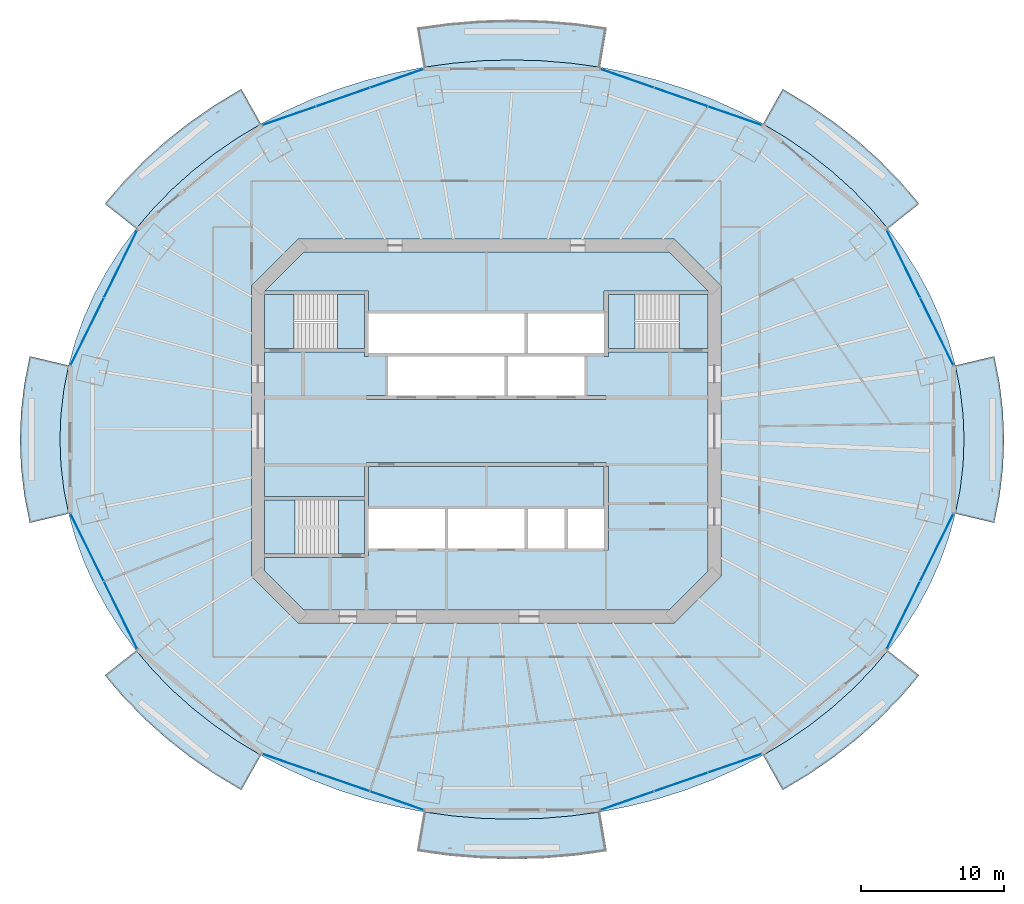
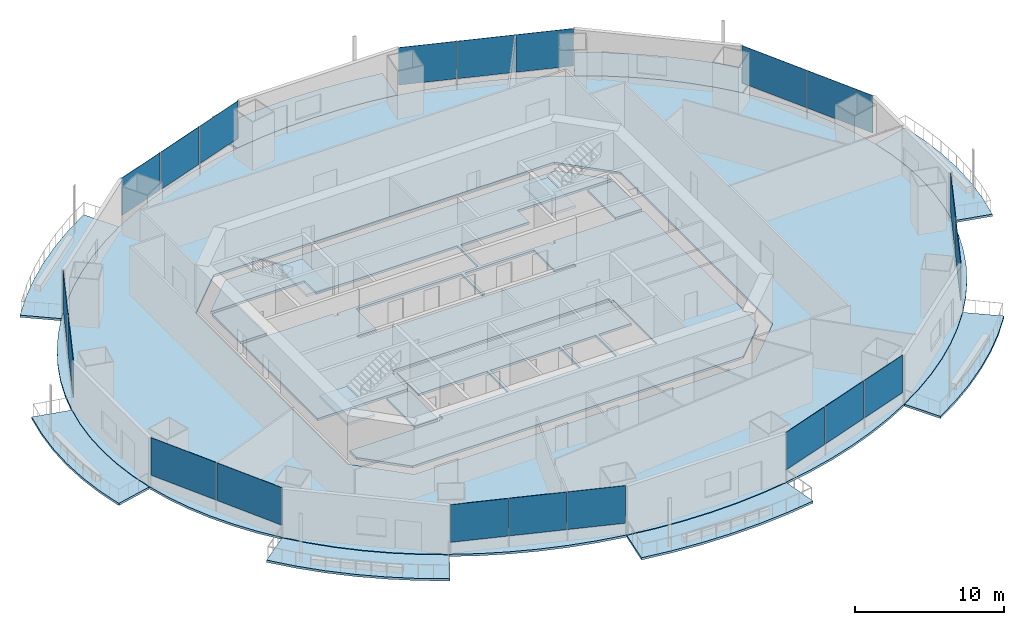
# One storey, part 11 of 21: 20 plates, 16 slabs, 11 elements without a shape of their own.
"""IFC4 building model written with IfcOpenShell, lengths in metres."""

from ifc_helpers import new_model, si_unit, direction, frame, origin, origin_2d, place, context, subcontext, project, spatial, polyline, rectangle, outline, extrude, material, layer, layer_set, type_object, element, aggregate, save


model = new_model("IFC4")

# Units and contexts
model_context = context("Model", 3, precision=1e-05, world=origin(), true_north=direction((0.0, 1.0)))
body_context = subcontext(model_context, "Body", "Model", "MODEL_VIEW")
ifc_project = project(units=[si_unit("LENGTHUNIT", "METRE"), si_unit("AREAUNIT", "SQUARE_METRE"), si_unit("VOLUMEUNIT", "CUBIC_METRE"), si_unit("PLANEANGLEUNIT", "RADIAN"), si_unit("MASSUNIT", "GRAM", prefix="KILO")], contexts=[model_context])

# Site, building, storey
site_placement = place(None, origin())
site = spatial("IfcSite", under=ifc_project, at=site_placement, CompositionType="ELEMENT")
building_placement = place(site_placement, origin())
building = spatial("IfcBuilding", under=site, at=building_placement, Name="Marenthal Gate Tower", CompositionType="ELEMENT")
storey_placement = place(building_placement, frame((0.0, 0.0, 202.550048828125)))
storey = spatial("IfcBuildingStorey", under=building, at=storey_placement, Name="L44", CompositionType="ELEMENT", Elevation=202.550048828125)

# Slabs
ifc_material_1 = material(Name="Concrete 40 MPa", Category="concrete")
ifc_layer_1 = layer(ifc_material_1, 0.179931640625)
ifc_layer_set_1 = layer_set([ifc_layer_1], Name="Balcony deck 180")
slab_type_1 = type_object("IfcSlabType", Name="Balcony deck 180", PredefinedType="USERDEFINED", material=ifc_layer_set_1)
slab_1_placement = place(storey_placement, frame((0.0, 0.0, -0.219970703125)))
element("IfcSlab", 1, at=slab_1_placement, inside=storey, type_object=slab_type_1, Name="Balcony deck L44 bay 2", ObjectType="BALCONY", PredefinedType="USERDEFINED", context=body_context, shape_type="SweptSolid", body=[
    extrude(outline(polyline([(28.15087890625, 14.1865234375), (26.943115234375, 15.602294921875), (25.627197265625, 16.948486328125), (24.209716796875, 18.219482421875), (22.696044921875, 19.41015625), (21.093017578125, 20.51513671875), (19.406982421875, 21.529541015625), (20.77734375, 23.971435546875), (22.609619140625, 22.86865234375), (24.3564453125, 21.664794921875), (26.01025390625, 20.36376953125), (27.56396484375, 18.970703125), (29.010009765625, 17.490966796875), (30.342041015625, 15.929931640625), (28.15087890625, 14.1865234375)])), origin(), (0.0, 0.0, 1.0), 0.179931640625),
])
slab_2_placement = place(storey_placement, frame((0.0, 0.0, -0.219970703125)))
element("IfcSlab", 2, at=slab_2_placement, inside=storey, type_object=slab_type_1, Name="Balcony deck L44 bay 4", ObjectType="BALCONY", PredefinedType="USERDEFINED", context=body_context, shape_type="SweptSolid", body=[
    extrude(outline(polyline([(7.98291015625, 25.503662109375), (5.9365234375, 25.787353515625), (3.872802734375, 25.9580078125), (1.800048828125, 26.014892578125), (-0.272705078125, 25.9580078125), (-2.336669921875, 25.787353515625), (-4.3828125, 25.503662109375), (-4.84423828125, 28.265380859375), (-2.644287109375, 28.5703125), (-0.4267578125, 28.753662109375), (1.800048828125, 28.81494140625), (4.026611328125, 28.753662109375), (6.244384765625, 28.5703125), (8.444091796875, 28.265380859375), (7.98291015625, 25.503662109375)])), origin(), (0.0, 0.0, 1.0), 0.179931640625),
])
slab_3_placement = place(storey_placement, frame((0.0, 0.0, -0.219970703125)))
element("IfcSlab", 3, at=slab_3_placement, inside=storey, type_object=slab_type_1, Name="Balcony deck L44 bay 6", ObjectType="BALCONY", PredefinedType="USERDEFINED", context=body_context, shape_type="SweptSolid", body=[
    extrude(outline(polyline([(-15.80712890625, 21.529541015625), (-17.492919921875, 20.51513671875), (-19.095947265625, 19.41015625), (-20.609619140625, 18.219482421875), (-22.02734375, 16.948486328125), (-23.343017578125, 15.602294921875), (-24.55078125, 14.1865234375), (-26.741943359375, 15.929931640625), (-25.41015625, 17.490966796875), (-23.9638671875, 18.970703125), (-22.410400390625, 20.36376953125), (-20.75634765625, 21.664794921875), (-19.009521484375, 22.86865234375), (-17.17724609375, 23.971435546875), (-15.80712890625, 21.529541015625)])), origin(), (0.0, 0.0, 1.0), 0.179931640625),
])
slab_4_placement = place(storey_placement, frame((0.0, 0.0, -0.219970703125)))
element("IfcSlab", 4, at=slab_4_placement, inside=storey, type_object=slab_type_1, Name="Balcony deck L44 bay 8", ObjectType="BALCONY", PredefinedType="USERDEFINED", context=body_context, shape_type="SweptSolid", body=[
    extrude(outline(polyline([(-29.282958984375, 4.59228515625), (-29.620849609375, 2.8740234375), (-29.82421875, 1.140625), (-29.89208984375, -0.60009765625), (-29.82421875, -2.3408203125), (-29.620849609375, -4.073974609375), (-29.282958984375, -5.792236328125), (-32.007568359375, -6.437744140625), (-32.38720703125, -4.507568359375), (-32.61572265625, -2.55859375), (-32.69189453125, -0.60009765625), (-32.61572265625, 1.358642578125), (-32.38720703125, 3.3076171875), (-32.007568359375, 5.237548828125), (-29.282958984375, 4.59228515625)])), origin(), (0.0, 0.0, 1.0), 0.179931640625),
])
slab_5_placement = place(storey_placement, frame((0.0, 0.0, -0.219970703125)))
element("IfcSlab", 5, at=slab_5_placement, inside=storey, type_object=slab_type_1, Name="Balcony deck L44 bay 10", ObjectType="BALCONY", PredefinedType="USERDEFINED", context=body_context, shape_type="SweptSolid", body=[
    extrude(outline(polyline([(-24.55078125, -15.386474609375), (-23.343017578125, -16.80224609375), (-22.02734375, -18.1484375), (-20.609619140625, -19.419677734375), (-19.095947265625, -20.610107421875), (-17.492919921875, -21.715087890625), (-15.80712890625, -22.7294921875), (-17.17724609375, -25.17138671875), (-19.009521484375, -24.06884765625), (-20.75634765625, -22.86474609375), (-22.410400390625, -21.563720703125), (-23.9638671875, -20.1708984375), (-25.41015625, -18.69091796875), (-26.741943359375, -17.1298828125), (-24.55078125, -15.386474609375)])), origin(), (0.0, 0.0, 1.0), 0.179931640625),
])
slab_6_placement = place(storey_placement, frame((0.0, 0.0, -0.219970703125)))
element("IfcSlab", 6, at=slab_6_placement, inside=storey, type_object=slab_type_1, Name="Balcony deck L44 bay 12", ObjectType="BALCONY", PredefinedType="USERDEFINED", context=body_context, shape_type="SweptSolid", body=[
    extrude(outline(polyline([(-4.3828125, -26.70361328125), (-2.336669921875, -26.9873046875), (-0.272705078125, -27.157958984375), (1.800048828125, -27.215087890625), (3.872802734375, -27.157958984375), (5.9365234375, -26.9873046875), (7.98291015625, -26.70361328125), (8.444091796875, -29.46533203125), (6.244384765625, -29.770263671875), (4.026611328125, -29.953857421875), (1.800048828125, -30.014892578125), (-0.4267578125, -29.953857421875), (-2.644287109375, -29.770263671875), (-4.84423828125, -29.46533203125), (-4.3828125, -26.70361328125)])), origin(), (0.0, 0.0, 1.0), 0.179931640625),
])
slab_7_placement = place(storey_placement, frame((0.0, 0.0, -0.219970703125)))
element("IfcSlab", 7, at=slab_7_placement, inside=storey, type_object=slab_type_1, Name="Balcony deck L44 bay 14", ObjectType="BALCONY", PredefinedType="USERDEFINED", context=body_context, shape_type="SweptSolid", body=[
    extrude(outline(polyline([(19.406982421875, -22.7294921875), (21.093017578125, -21.715087890625), (22.696044921875, -20.610107421875), (24.209716796875, -19.419677734375), (25.627197265625, -18.1484375), (26.943115234375, -16.80224609375), (28.15087890625, -15.386474609375), (30.342041015625, -17.1298828125), (29.010009765625, -18.69091796875), (27.56396484375, -20.1708984375), (26.01025390625, -21.563720703125), (24.3564453125, -22.86474609375), (22.609619140625, -24.06884765625), (20.77734375, -25.17138671875), (19.406982421875, -22.7294921875)])), origin(), (0.0, 0.0, 1.0), 0.179931640625),
])
slab_8_placement = place(storey_placement, frame((0.0, 0.0, -0.219970703125)))
element("IfcSlab", 8, at=slab_8_placement, inside=storey, type_object=slab_type_1, Name="Balcony deck L44 bay 16", ObjectType="BALCONY", PredefinedType="USERDEFINED", context=body_context, shape_type="SweptSolid", body=[
    extrude(outline(polyline([(32.883056640625, -5.792236328125), (33.220947265625, -4.073974609375), (33.424072265625, -2.3408203125), (33.491943359375, -0.60009765625), (33.424072265625, 1.140625), (33.220947265625, 2.8740234375), (32.883056640625, 4.59228515625), (35.607666015625, 5.237548828125), (35.987060546875, 3.3076171875), (36.215576171875, 1.358642578125), (36.2919921875, -0.60009765625), (36.215576171875, -2.55859375), (35.987060546875, -4.507568359375), (35.607666015625, -6.437744140625), (32.883056640625, -5.792236328125)])), origin(), (0.0, 0.0, 1.0), 0.179931640625),
])
ifc_material_2 = material(Name="Concrete 50 MPa", Category="concrete")
ifc_layer_2 = layer(ifc_material_2, 0.179931640625)
ifc_layer_set_2 = layer_set([ifc_layer_2], Name="Core floor slab 180")
slab_type_2 = type_object("IfcSlabType", Name="Core floor slab 180", PredefinedType="FLOOR", material=ifc_layer_set_2)
slab_9_placement = place(storey_placement, frame((0.0, 0.0, -0.179931640625)))
element("IfcSlab", 9, at=slab_9_placement, inside=storey, type_object=slab_type_2, Name="Core floor L44", PredefinedType="FLOOR", context=body_context, shape_type="SweptSolid", body=[
    extrude(outline(polyline([(12.813720703125, -12.550048828125), (-12.813720703125, -12.550048828125), (-15.550048828125, -9.813720703125), (-15.550048828125, -8.875), (-8.550048828125, -8.875), (-8.550048828125, -8.75), (-8.25, -8.75), (-8.25, -8.239990234375), (-5.60009765625, -8.239990234375), (-2.909912109375, -8.239990234375), (-2.909912109375, -5.4599609375), (-5.60009765625, -5.4599609375), (-8.25, -5.4599609375), (-8.25, -2.5), (8.25, -2.5), (8.25, -5.4599609375), (5.7099609375, -5.4599609375), (5.7099609375, -8.239990234375), (8.25, -8.239990234375), (8.25, -8.35009765625), (8.550048828125, -8.35009765625), (8.550048828125, -2.5), (8.39990234375, -2.5), (8.39990234375, -2.199951171875), (-8.39990234375, -2.199951171875), (-8.39990234375, -2.5), (-8.550048828125, -2.5), (-8.550048828125, -4.574951171875), (-15.550048828125, -4.574951171875), (-15.550048828125, 5.52490234375), (-8.550048828125, 5.52490234375), (-8.550048828125, 5.239990234375), (-8.25, 5.239990234375), (-8.25, 5.4599609375), (-5.60009765625, 5.4599609375), (-2.800048828125, 5.4599609375), (0.0, 5.4599609375), (2.68994140625, 5.4599609375), (2.68994140625, 8.239990234375), (0.0, 8.239990234375), (-2.800048828125, 8.239990234375), (-5.60009765625, 8.239990234375), (-8.25, 8.239990234375), (-8.25, 8.35009765625), (-8.25, 9.824951171875), (-8.550048828125, 9.824951171875), (-15.53857421875, 9.824951171875), (-12.813720703125, 12.550048828125), (12.813720703125, 12.550048828125), (15.53857421875, 9.824951171875), (8.550048828125, 9.824951171875), (8.25, 9.824951171875), (8.25, 8.35009765625), (8.25, 8.239990234375), (5.60009765625, 8.239990234375), (2.909912109375, 8.239990234375), (2.909912109375, 5.4599609375), (5.60009765625, 5.4599609375), (8.25, 5.4599609375), (8.25, 5.239990234375), (8.550048828125, 5.239990234375), (8.550048828125, 5.52490234375), (15.550048828125, 5.52490234375), (15.550048828125, -9.813720703125), (12.813720703125, -12.550048828125)]), holes=[polyline([(2.68994140625, -8.239990234375), (2.68994140625, -5.4599609375), (0.0, -5.4599609375), (-2.68994140625, -5.4599609375), (-2.68994140625, -8.239990234375), (0.0, -8.239990234375), (2.68994140625, -8.239990234375)]), polyline([(-6.889892578125, 5.239990234375), (-6.889892578125, 2.5), (-8.39990234375, 2.5), (-8.39990234375, 2.199951171875), (8.39990234375, 2.199951171875), (8.39990234375, 2.5), (6.889892578125, 2.5), (6.889892578125, 5.239990234375), (4.199951171875, 5.239990234375), (1.510009765625, 5.239990234375), (1.510009765625, 2.5), (1.2900390625, 2.5), (1.2900390625, 5.239990234375), (-1.39990234375, 5.239990234375), (-4.199951171875, 5.239990234375), (-6.889892578125, 5.239990234375)]), polyline([(5.489990234375, -8.239990234375), (5.489990234375, -5.4599609375), (2.909912109375, -5.4599609375), (2.909912109375, -8.239990234375), (5.489990234375, -8.239990234375)])]), origin(), (0.0, 0.0, 1.0), 0.179931640625),
])
slab_10_placement = place(storey_placement, frame((0.0, 0.0, -0.179931640625)))
element("IfcSlab", 10, at=slab_10_placement, inside=storey, type_object=slab_type_2, Name="Core floor L44", PredefinedType="FLOOR", context=body_context, shape_type="SweptSolid", body=[
    extrude(outline(polyline([(15.550048828125, 5.77490234375), (13.5, 5.77490234375), (13.5, 9.574951171875), (15.550048828125, 9.574951171875), (15.550048828125, 5.77490234375)])), origin(), (0.0, 0.0, 1.0), 0.179931640625),
])
slab_11_placement = place(storey_placement, frame((0.0, 0.0, -0.179931640625)))
element("IfcSlab", 11, at=slab_11_placement, inside=storey, type_object=slab_type_2, Name="Core floor L44", PredefinedType="FLOOR", context=body_context, shape_type="SweptSolid", body=[
    extrude(outline(polyline([(-15.550048828125, 9.574951171875), (-13.5, 9.574951171875), (-13.5, 5.77490234375), (-15.550048828125, 5.77490234375), (-15.550048828125, 9.574951171875)])), origin(), (0.0, 0.0, 1.0), 0.179931640625),
])
slab_12_placement = place(storey_placement, frame((0.0, 0.0, -0.179931640625)))
element("IfcSlab", 12, at=slab_12_placement, inside=storey, type_object=slab_type_2, Name="Core floor L44", PredefinedType="FLOOR", context=body_context, shape_type="SweptSolid", body=[
    extrude(outline(polyline([(-8.550048828125, -8.625), (-10.35009765625, -8.625), (-10.35009765625, -4.824951171875), (-8.550048828125, -4.824951171875), (-8.550048828125, -8.625)])), origin(), (0.0, 0.0, 1.0), 0.179931640625),
])
ifc_material_3 = material(Name="Concrete 35 MPa", Category="concrete")
ifc_layer_3 = layer(ifc_material_3, 0.179931640625)
ifc_layer_set_3 = layer_set([ifc_layer_3], Name="Floor slab 180")
slab_type_3 = type_object("IfcSlabType", Name="Floor slab 180", PredefinedType="FLOOR", material=ifc_layer_set_3)
slab_13_placement = place(storey_placement, frame((0.0, 0.0, -0.179931640625)))
element("IfcSlab", 13, at=slab_13_placement, inside=storey, type_object=slab_type_3, Name="SL-L44-01", PredefinedType="FLOOR", context=body_context, shape_type="SweptSolid", body=[
    extrude(outline(polyline([(33.491943359375, -0.60009765625), (33.424072265625, 1.140625), (33.220947265625, 2.8740234375), (32.883056640625, 4.59228515625), (32.412109375, 6.28857421875), (31.81005859375, 7.955078125), (31.07958984375, 9.585205078125), (30.2236328125, 11.17138671875), (29.24609375, 12.70751953125), (28.15087890625, 14.1865234375), (26.943115234375, 15.602294921875), (25.627197265625, 16.948486328125), (24.209716796875, 18.219482421875), (22.696044921875, 19.41015625), (21.093017578125, 20.51513671875), (19.406982421875, 21.529541015625), (17.64599609375, 22.44921875), (15.81689453125, 23.270263671875), (13.927978515625, 23.989013671875), (11.987060546875, 24.6025390625), (10.00244140625, 25.108154296875), (7.98291015625, 25.503662109375), (5.9365234375, 25.787353515625), (3.872802734375, 25.9580078125), (1.800048828125, 26.014892578125), (-0.272705078125, 25.9580078125), (-2.336669921875, 25.787353515625), (-4.3828125, 25.503662109375), (-6.402587890625, 25.108154296875), (-8.38720703125, 24.6025390625), (-10.327880859375, 23.989013671875), (-12.217041015625, 23.270263671875), (-14.0458984375, 22.44921875), (-15.80712890625, 21.529541015625), (-17.492919921875, 20.51513671875), (-19.095947265625, 19.41015625), (-20.609619140625, 18.219482421875), (-22.02734375, 16.948486328125), (-23.343017578125, 15.602294921875), (-24.55078125, 14.1865234375), (-25.64599609375, 12.70751953125), (-26.623779296875, 11.17138671875), (-27.4794921875, 9.585205078125), (-28.210205078125, 7.955078125), (-28.81201171875, 6.28857421875), (-29.282958984375, 4.59228515625), (-29.620849609375, 2.8740234375), (-29.82421875, 1.140625), (-29.89208984375, -0.60009765625), (-29.82421875, -2.3408203125), (-29.620849609375, -4.073974609375), (-29.282958984375, -5.792236328125), (-28.81201171875, -7.488525390625), (-28.210205078125, -9.155029296875), (-27.4794921875, -10.78515625), (-26.623779296875, -12.37158203125), (-25.64599609375, -13.907470703125), (-24.55078125, -15.386474609375), (-23.343017578125, -16.80224609375), (-22.02734375, -18.1484375), (-20.609619140625, -19.419677734375), (-19.095947265625, -20.610107421875), (-17.492919921875, -21.715087890625), (-15.80712890625, -22.7294921875), (-14.0458984375, -23.6494140625), (-12.217041015625, -24.47021484375), (-10.327880859375, -25.189208984375), (-8.38720703125, -25.802490234375), (-6.402587890625, -26.30810546875), (-4.3828125, -26.70361328125), (-2.336669921875, -26.9873046875), (-0.272705078125, -27.157958984375), (1.800048828125, -27.215087890625), (3.872802734375, -27.157958984375), (5.9365234375, -26.9873046875), (7.98291015625, -26.70361328125), (10.00244140625, -26.30810546875), (11.987060546875, -25.802490234375), (13.927978515625, -25.189208984375), (15.81689453125, -24.47021484375), (17.64599609375, -23.6494140625), (19.406982421875, -22.7294921875), (21.093017578125, -21.715087890625), (22.696044921875, -20.610107421875), (24.209716796875, -19.419677734375), (25.627197265625, -18.1484375), (26.943115234375, -16.80224609375), (28.15087890625, -15.386474609375), (29.24609375, -13.907470703125), (30.2236328125, -12.37158203125), (31.07958984375, -10.78515625), (31.81005859375, -9.155029296875), (32.412109375, -7.488525390625), (32.883056640625, -5.792236328125), (33.220947265625, -4.073974609375), (33.424072265625, -2.3408203125), (33.491943359375, -0.60009765625)]), holes=[polyline([(13.186279296875, -13.449951171875), (16.449951171875, -10.186279296875), (16.449951171875, 10.186279296875), (13.186279296875, 13.449951171875), (-13.186279296875, 13.449951171875), (-16.449951171875, 10.186279296875), (-16.449951171875, -10.186279296875), (-13.186279296875, -13.449951171875), (13.186279296875, -13.449951171875)])]), origin(), (0.0, 0.0, 1.0), 0.179931640625),
])

# Curtain wall, plates
ifc_material_4 = material(Name="Aluminium and glass", Category="aluminium")
curtain_wall_type = type_object("IfcCurtainWallType", Name="Curtain wall typical mid", PredefinedType="NOTDEFINED", material=ifc_material_4)
curtain_wall_1_placement = place(storey_placement, origin())
curtain_wall_1 = element("IfcCurtainWall", 14, at=curtain_wall_1_placement, inside=storey, type_object=curtain_wall_type, Name="Curtain wall L44 bay 1", PredefinedType="NOTDEFINED")
ifc_material_5 = material(Name="Glass, laminated insulating unit", Category="glass")
ifc_layer_4 = layer(ifc_material_5, 0.030029296875)
ifc_layer_set_4 = layer_set([ifc_layer_4], Name="Glass panel 30 typical mid")
plate_type = type_object("IfcPlateType", Name="Glass panel 30 typical mid", PredefinedType="CURTAIN_PANEL", material=ifc_layer_set_4)
plate_1_placement = place(storey_placement, frame((31.580322265625, 6.969970703125, 0.89990234375), z_axis=(0.0, 0.0, 1.0), x_axis=(-0.442607164057, 0.896715617309, 0.0)))
plate_1 = element("IfcPlate", 15, at=plate_1_placement, type_object=plate_type, Name="Glass panel L44 bay 1.1", PredefinedType="CURTAIN_PANEL", context=body_context, shape_type="SweptSolid", body=[
    extrude(rectangle(XDim=5.235595703125, YDim=0.030029296875, at=origin_2d()), origin(), (0.0, 0.0, 1.0), 3.070068359375),
])
plate_2_placement = place(storey_placement, frame((29.236328125, 11.71875, 0.89990234375), z_axis=(0.0, 0.0, 1.0), x_axis=(-0.442607164057, 0.896715617309, 0.0)))
plate_2 = element("IfcPlate", 16, at=plate_2_placement, type_object=plate_type, Name="Glass panel L44 bay 1.2", PredefinedType="CURTAIN_PANEL", context=body_context, shape_type="SweptSolid", body=[
    extrude(rectangle(XDim=5.235595703125, YDim=0.030029296875, at=origin_2d()), origin(), (0.0, 0.0, 1.0), 3.070068359375),
])
aggregate(curtain_wall_1, [plate_1, plate_2])

curtain_wall_2_placement = place(storey_placement, origin())
curtain_wall_2 = element("IfcCurtainWall", 17, at=curtain_wall_2_placement, inside=storey, type_object=curtain_wall_type, Name="Curtain wall L44 bay 3", PredefinedType="NOTDEFINED")
plate_3_placement = place(storey_placement, frame((17.4248046875, 22.095703125, 0.89990234375), z_axis=(0.0, 0.0, 1.0), x_axis=(-0.944562277362, 0.328332307555, 0.0)))
plate_3 = element("IfcPlate", 18, at=plate_3_placement, type_object=plate_type, Name="Glass panel L44 bay 3.1", PredefinedType="CURTAIN_PANEL", context=body_context, shape_type="SweptSolid", body=[
    extrude(rectangle(XDim=3.936279296875, YDim=0.030029296875, at=origin_2d()), origin(), (0.0, 0.0, 1.0), 3.070068359375),
])
plate_4_placement = place(storey_placement, frame((13.64990234375, 23.407958984375, 0.89990234375), z_axis=(0.0, 0.0, 1.0), x_axis=(-0.944562277362, 0.328332307555, 0.0)))
plate_4 = element("IfcPlate", 19, at=plate_4_placement, type_object=plate_type, Name="Glass panel L44 bay 3.2", PredefinedType="CURTAIN_PANEL", context=body_context, shape_type="SweptSolid", body=[
    extrude(rectangle(XDim=3.936279296875, YDim=0.030029296875, at=origin_2d()), origin(), (0.0, 0.0, 1.0), 3.070068359375),
])
plate_5_placement = place(storey_placement, frame((9.875244140625, 24.719970703125, 0.89990234375), z_axis=(0.0, 0.0, 1.0), x_axis=(-0.944562277362, 0.328332307555, 0.0)))
plate_5 = element("IfcPlate", 20, at=plate_5_placement, type_object=plate_type, Name="Glass panel L44 bay 3.3", PredefinedType="CURTAIN_PANEL", context=body_context, shape_type="SweptSolid", body=[
    extrude(rectangle(XDim=3.936279296875, YDim=0.030029296875, at=origin_2d()), origin(), (0.0, 0.0, 1.0), 3.070068359375),
])
aggregate(curtain_wall_2, [plate_3, plate_4, plate_5])

curtain_wall_3_placement = place(storey_placement, origin())
curtain_wall_3 = element("IfcCurtainWall", 21, at=curtain_wall_3_placement, inside=storey, type_object=curtain_wall_type, Name="Curtain wall L44 bay 5", PredefinedType="NOTDEFINED")
plate_6_placement = place(storey_placement, frame((-6.275146484375, 24.719970703125, 0.89990234375), z_axis=(0.0, 0.0, 1.0), x_axis=(-0.944562277362, -0.328332307555, 0.0)))
plate_6 = element("IfcPlate", 22, at=plate_6_placement, type_object=plate_type, Name="Glass panel L44 bay 5.1", PredefinedType="CURTAIN_PANEL", context=body_context, shape_type="SweptSolid", body=[
    extrude(rectangle(XDim=3.936279296875, YDim=0.030029296875, at=origin_2d()), origin(), (0.0, 0.0, 1.0), 3.070068359375),
])
plate_7_placement = place(storey_placement, frame((-10.050048828125, 23.407958984375, 0.89990234375), z_axis=(0.0, 0.0, 1.0), x_axis=(-0.944562277362, -0.328332307555, 0.0)))
plate_7 = element("IfcPlate", 23, at=plate_7_placement, type_object=plate_type, Name="Glass panel L44 bay 5.2", PredefinedType="CURTAIN_PANEL", context=body_context, shape_type="SweptSolid", body=[
    extrude(rectangle(XDim=3.936279296875, YDim=0.030029296875, at=origin_2d()), origin(), (0.0, 0.0, 1.0), 3.070068359375),
])
plate_8_placement = place(storey_placement, frame((-13.82470703125, 22.095703125, 0.89990234375), z_axis=(0.0, 0.0, 1.0), x_axis=(-0.944562277362, -0.328332307555, 0.0)))
plate_8 = element("IfcPlate", 24, at=plate_8_placement, type_object=plate_type, Name="Glass panel L44 bay 5.3", PredefinedType="CURTAIN_PANEL", context=body_context, shape_type="SweptSolid", body=[
    extrude(rectangle(XDim=3.936279296875, YDim=0.030029296875, at=origin_2d()), origin(), (0.0, 0.0, 1.0), 3.070068359375),
])
aggregate(curtain_wall_3, [plate_6, plate_7, plate_8])

curtain_wall_4_placement = place(storey_placement, origin())
curtain_wall_4 = element("IfcCurtainWall", 25, at=curtain_wall_4_placement, inside=storey, type_object=curtain_wall_type, Name="Curtain wall L44 bay 7", PredefinedType="NOTDEFINED")
plate_9_placement = place(storey_placement, frame((-25.636474609375, 11.718505859375, 0.89990234375), z_axis=(0.0, 0.0, 1.0), x_axis=(-0.442607164057, -0.896715617309, 0.0)))
plate_9 = element("IfcPlate", 26, at=plate_9_placement, type_object=plate_type, Name="Glass panel L44 bay 7.1", PredefinedType="CURTAIN_PANEL", context=body_context, shape_type="SweptSolid", body=[
    extrude(rectangle(XDim=5.235595703125, YDim=0.030029296875, at=origin_2d()), origin(), (0.0, 0.0, 1.0), 3.070068359375),
])
plate_10_placement = place(storey_placement, frame((-27.980224609375, 6.969970703125, 0.89990234375), z_axis=(0.0, 0.0, 1.0), x_axis=(-0.442607164057, -0.896715617309, 0.0)))
plate_10 = element("IfcPlate", 27, at=plate_10_placement, type_object=plate_type, Name="Glass panel L44 bay 7.2", PredefinedType="CURTAIN_PANEL", context=body_context, shape_type="SweptSolid", body=[
    extrude(rectangle(XDim=5.235595703125, YDim=0.030029296875, at=origin_2d()), origin(), (0.0, 0.0, 1.0), 3.070068359375),
])
aggregate(curtain_wall_4, [plate_9, plate_10])

curtain_wall_5_placement = place(storey_placement, origin())
curtain_wall_5 = element("IfcCurtainWall", 28, at=curtain_wall_5_placement, inside=storey, type_object=curtain_wall_type, Name="Curtain wall L44 bay 9", PredefinedType="NOTDEFINED")
plate_11_placement = place(storey_placement, frame((-27.980224609375, -8.170166015625, 0.89990234375), z_axis=(0.0, 0.0, 1.0), x_axis=(0.442607164057, -0.896715617309, 0.0)))
plate_11 = element("IfcPlate", 29, at=plate_11_placement, type_object=plate_type, Name="Glass panel L44 bay 9.1", PredefinedType="CURTAIN_PANEL", context=body_context, shape_type="SweptSolid", body=[
    extrude(rectangle(XDim=5.235595703125, YDim=0.030029296875, at=origin_2d()), origin(), (0.0, 0.0, 1.0), 3.070068359375),
])
plate_12_placement = place(storey_placement, frame((-25.636474609375, -12.918701171875, 0.89990234375), z_axis=(0.0, 0.0, 1.0), x_axis=(0.442607164057, -0.896715617309, 0.0)))
plate_12 = element("IfcPlate", 30, at=plate_12_placement, type_object=plate_type, Name="Glass panel L44 bay 9.2", PredefinedType="CURTAIN_PANEL", context=body_context, shape_type="SweptSolid", body=[
    extrude(rectangle(XDim=5.235595703125, YDim=0.030029296875, at=origin_2d()), origin(), (0.0, 0.0, 1.0), 3.070068359375),
])
aggregate(curtain_wall_5, [plate_11, plate_12])

curtain_wall_6_placement = place(storey_placement, origin())
curtain_wall_6 = element("IfcCurtainWall", 31, at=curtain_wall_6_placement, inside=storey, type_object=curtain_wall_type, Name="Curtain wall L44 bay 11", PredefinedType="NOTDEFINED")
plate_13_placement = place(storey_placement, frame((-13.82470703125, -23.295654296875, 0.89990234375), z_axis=(0.0, 0.0, 1.0), x_axis=(0.944562277362, -0.328332307555, 0.0)))
plate_13 = element("IfcPlate", 32, at=plate_13_placement, type_object=plate_type, Name="Glass panel L44 bay 11.1", PredefinedType="CURTAIN_PANEL", context=body_context, shape_type="SweptSolid", body=[
    extrude(rectangle(XDim=3.936279296875, YDim=0.030029296875, at=origin_2d()), origin(), (0.0, 0.0, 1.0), 3.070068359375),
])
plate_14_placement = place(storey_placement, frame((-10.050048828125, -24.60791015625, 0.89990234375), z_axis=(0.0, 0.0, 1.0), x_axis=(0.944562277362, -0.328332307555, 0.0)))
plate_14 = element("IfcPlate", 33, at=plate_14_placement, type_object=plate_type, Name="Glass panel L44 bay 11.2", PredefinedType="CURTAIN_PANEL", context=body_context, shape_type="SweptSolid", body=[
    extrude(rectangle(XDim=3.936279296875, YDim=0.030029296875, at=origin_2d()), origin(), (0.0, 0.0, 1.0), 3.070068359375),
])
plate_15_placement = place(storey_placement, frame((-6.275146484375, -25.919921875, 0.89990234375), z_axis=(0.0, 0.0, 1.0), x_axis=(0.944562277362, -0.328332307555, 0.0)))
plate_15 = element("IfcPlate", 34, at=plate_15_placement, type_object=plate_type, Name="Glass panel L44 bay 11.3", PredefinedType="CURTAIN_PANEL", context=body_context, shape_type="SweptSolid", body=[
    extrude(rectangle(XDim=3.936279296875, YDim=0.030029296875, at=origin_2d()), origin(), (0.0, 0.0, 1.0), 3.070068359375),
])
aggregate(curtain_wall_6, [plate_13, plate_14, plate_15])

curtain_wall_7_placement = place(storey_placement, origin())
curtain_wall_7 = element("IfcCurtainWall", 35, at=curtain_wall_7_placement, inside=storey, type_object=curtain_wall_type, Name="Curtain wall L44 bay 13", PredefinedType="NOTDEFINED")
plate_16_placement = place(storey_placement, frame((9.875244140625, -25.919921875, 0.89990234375), z_axis=(0.0, 0.0, 1.0), x_axis=(0.944562277362, 0.328332307555, 0.0)))
plate_16 = element("IfcPlate", 36, at=plate_16_placement, type_object=plate_type, Name="Glass panel L44 bay 13.1", PredefinedType="CURTAIN_PANEL", context=body_context, shape_type="SweptSolid", body=[
    extrude(rectangle(XDim=3.936279296875, YDim=0.030029296875, at=origin_2d()), origin(), (0.0, 0.0, 1.0), 3.070068359375),
])
plate_17_placement = place(storey_placement, frame((13.64990234375, -24.60791015625, 0.89990234375), z_axis=(0.0, 0.0, 1.0), x_axis=(0.944562277362, 0.328332307555, 0.0)))
plate_17 = element("IfcPlate", 37, at=plate_17_placement, type_object=plate_type, Name="Glass panel L44 bay 13.2", PredefinedType="CURTAIN_PANEL", context=body_context, shape_type="SweptSolid", body=[
    extrude(rectangle(XDim=3.936279296875, YDim=0.030029296875, at=origin_2d()), origin(), (0.0, 0.0, 1.0), 3.070068359375),
])
plate_18_placement = place(storey_placement, frame((17.4248046875, -23.295654296875, 0.89990234375), z_axis=(0.0, 0.0, 1.0), x_axis=(0.944562277362, 0.328332307555, 0.0)))
plate_18 = element("IfcPlate", 38, at=plate_18_placement, type_object=plate_type, Name="Glass panel L44 bay 13.3", PredefinedType="CURTAIN_PANEL", context=body_context, shape_type="SweptSolid", body=[
    extrude(rectangle(XDim=3.936279296875, YDim=0.030029296875, at=origin_2d()), origin(), (0.0, 0.0, 1.0), 3.070068359375),
])
aggregate(curtain_wall_7, [plate_16, plate_17, plate_18])

curtain_wall_8_placement = place(storey_placement, origin())
curtain_wall_8 = element("IfcCurtainWall", 39, at=curtain_wall_8_placement, inside=storey, type_object=curtain_wall_type, Name="Curtain wall L44 bay 15", PredefinedType="NOTDEFINED")
plate_19_placement = place(storey_placement, frame((29.236328125, -12.918701171875, 0.89990234375), z_axis=(0.0, 0.0, 1.0), x_axis=(0.442607164057, 0.896715617309, 0.0)))
plate_19 = element("IfcPlate", 40, at=plate_19_placement, type_object=plate_type, Name="Glass panel L44 bay 15.1", PredefinedType="CURTAIN_PANEL", context=body_context, shape_type="SweptSolid", body=[
    extrude(rectangle(XDim=5.235595703125, YDim=0.030029296875, at=origin_2d()), origin(), (0.0, 0.0, 1.0), 3.070068359375),
])
plate_20_placement = place(storey_placement, frame((31.580322265625, -8.170166015625, 0.89990234375), z_axis=(0.0, 0.0, 1.0), x_axis=(0.442607164057, 0.896715617309, 0.0)))
plate_20 = element("IfcPlate", 41, at=plate_20_placement, type_object=plate_type, Name="Glass panel L44 bay 15.2", PredefinedType="CURTAIN_PANEL", context=body_context, shape_type="SweptSolid", body=[
    extrude(rectangle(XDim=5.235595703125, YDim=0.030029296875, at=origin_2d()), origin(), (0.0, 0.0, 1.0), 3.070068359375),
])
aggregate(curtain_wall_8, [plate_19, plate_20])

# Stair, slab
ifc_material_6 = material(Name="Concrete 40 MPa", Category="concrete")
stair_type = type_object("IfcStairType", Name="Exit stair 1800", PredefinedType="HALF_TURN_STAIR", material=ifc_material_6)
stair_1_placement = place(storey_placement, origin())
stair_1 = element("IfcStair", 42, at=stair_1_placement, inside=storey, type_object=stair_type, Name="Stair ST1", PredefinedType="HALF_TURN_STAIR")
ifc_material_7 = material(Name="Concrete 40 MPa", Category="concrete")
ifc_layer_5 = layer(ifc_material_7, 0.199951171875)
ifc_layer_set_5 = layer_set([ifc_layer_5], Name="Stair landing 200")
slab_type_4 = type_object("IfcSlabType", Name="Stair landing 200", PredefinedType="LANDING", material=ifc_layer_set_5)
slab_14_placement = place(storey_placement, frame((0.0, 0.0, 1.875)))
slab_14 = element("IfcSlab", 43, at=slab_14_placement, type_object=slab_type_4, Name="ST1 landing 1", PredefinedType="LANDING", context=body_context, shape_type="SweptSolid", body=[
    extrude(outline(polyline([(-10.419921875, 5.77490234375), (-8.550048828125, 5.77490234375), (-8.550048828125, 9.574951171875), (-10.419921875, 9.574951171875), (-10.419921875, 5.77490234375)])), origin(), (0.0, 0.0, 1.0), 0.199951171875),
])
aggregate(stair_1, [slab_14])

stair_2_placement = place(storey_placement, origin())
stair_2 = element("IfcStair", 44, at=stair_2_placement, inside=storey, type_object=stair_type, Name="Stair ST2", PredefinedType="HALF_TURN_STAIR")
slab_15_placement = place(storey_placement, frame((0.0, 0.0, 1.875)))
slab_15 = element("IfcSlab", 45, at=slab_15_placement, type_object=slab_type_4, Name="ST2 landing 1", PredefinedType="LANDING", context=body_context, shape_type="SweptSolid", body=[
    extrude(outline(polyline([(-15.550048828125, -8.625), (-13.429931640625, -8.625), (-13.429931640625, -4.824951171875), (-15.550048828125, -4.824951171875), (-15.550048828125, -8.625)])), origin(), (0.0, 0.0, 1.0), 0.199951171875),
])
aggregate(stair_2, [slab_15])

stair_3_placement = place(storey_placement, origin())
stair_3 = element("IfcStair", 46, at=stair_3_placement, inside=storey, type_object=stair_type, Name="Stair ST3", PredefinedType="HALF_TURN_STAIR")
slab_16_placement = place(storey_placement, frame((0.0, 0.0, 1.875)))
slab_16 = element("IfcSlab", 47, at=slab_16_placement, type_object=slab_type_4, Name="ST3 landing 1", PredefinedType="LANDING", context=body_context, shape_type="SweptSolid", body=[
    extrude(outline(polyline([(8.550048828125, 5.77490234375), (10.419921875, 5.77490234375), (10.419921875, 9.574951171875), (8.550048828125, 9.574951171875), (8.550048828125, 5.77490234375)])), origin(), (0.0, 0.0, 1.0), 0.199951171875),
])
aggregate(stair_3, [slab_16])

save(model, "model.ifc")
